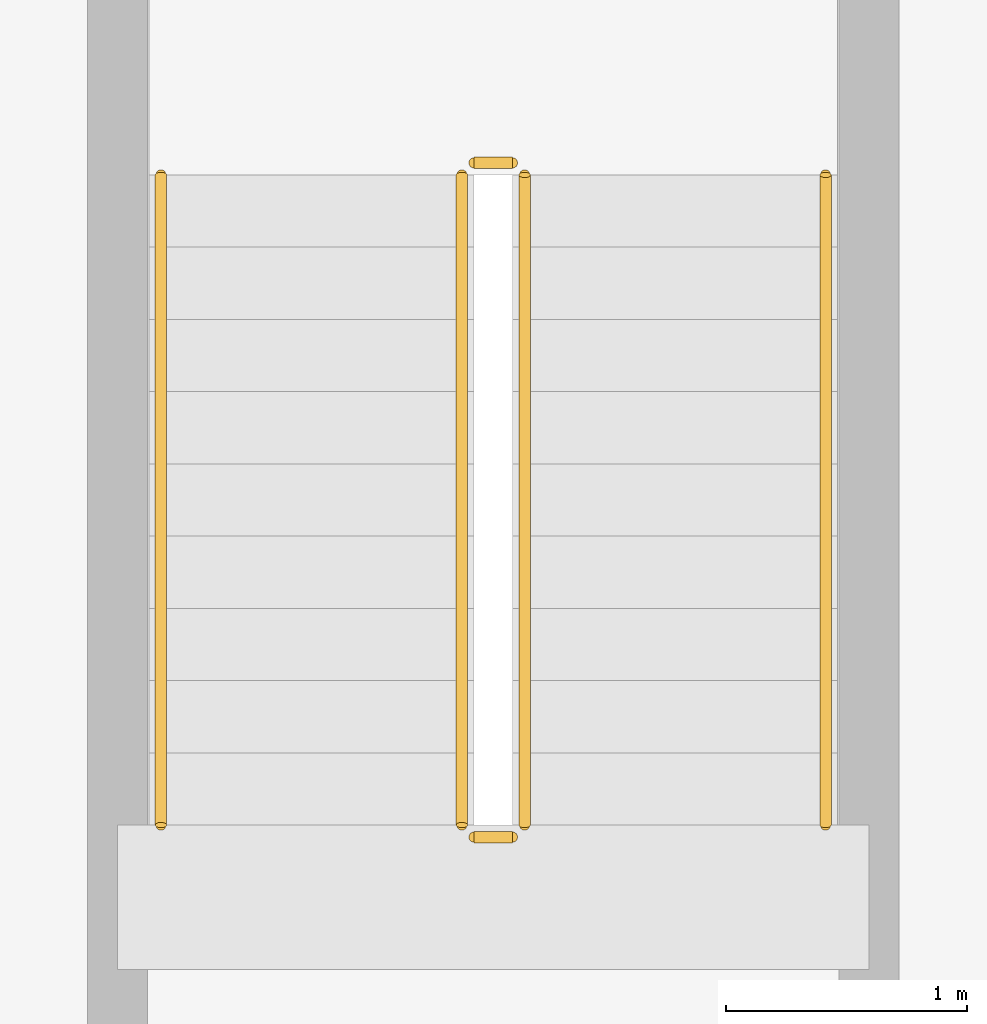
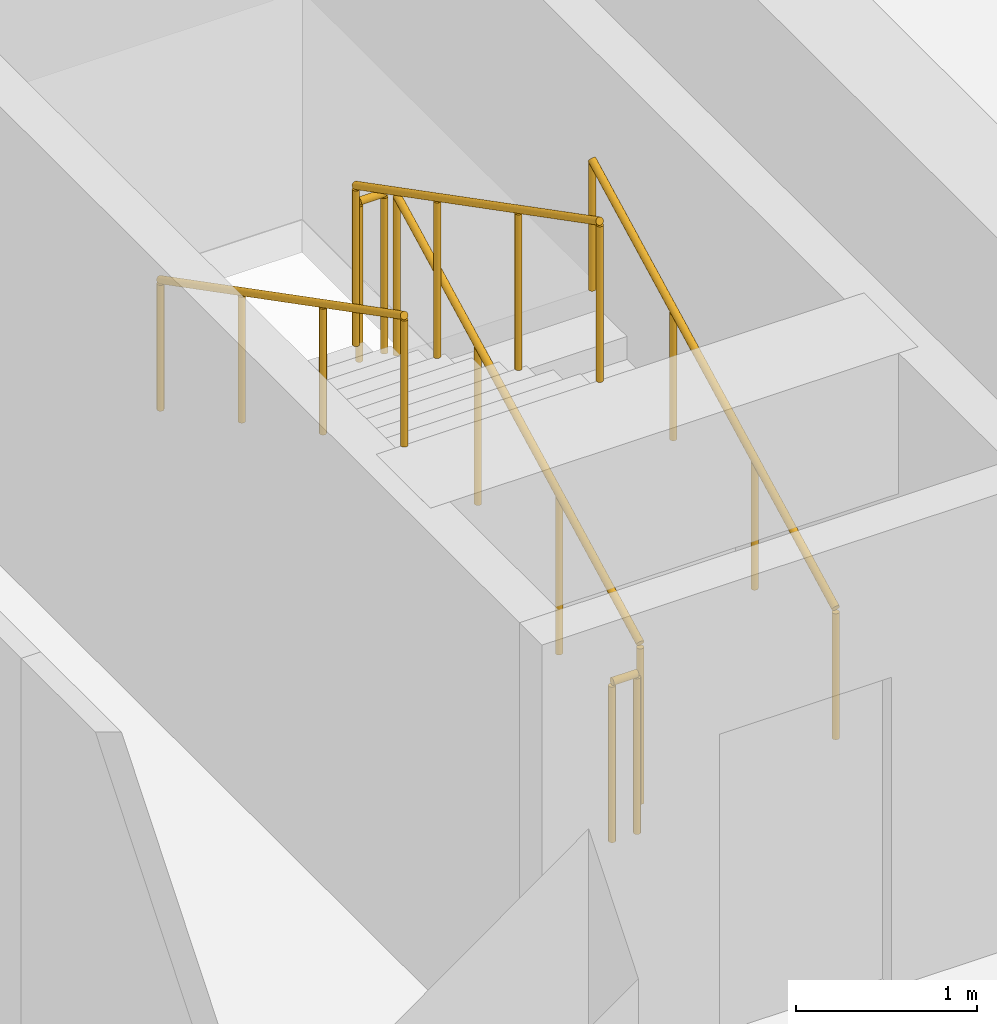
# One storey, part 9 of 9: 6 railings.
"""IFC4 building model written with IfcOpenShell, lengths in metres."""

import ifcopenshell
import ifcopenshell.guid

model = None  # the IFC model being written
_history = None  # IfcOwnerHistory: only IFC2X3 demands one
_inside = {}  # id of a spatial element -> (the spatial element, [elements in it])
_under = {}  # id of a project, library or spatial element -> (it, [spatial elements below it])
_declared = {}  # id of a project -> (the project, [libraries it declares])
_typed = {}  # id of a type object -> (the type object, [elements of that type])
_made_of = {}  # id of a material, layer set ... -> (it, [elements and type objects made of it])


def new_model(schema):
    """Start an empty IFC model of exactly this schema.

    Asked for "IFC4X3", IfcOpenShell would pick the latest addendum, in which some entities
    have other attributes; the version numbers below select the first issue.
    IFC2X3 requires an IfcOwnerHistory on every rooted entity: one is made here for all.
    """
    global model, _history
    if schema == "IFC4X3":
        model = ifcopenshell.file(schema_version=(4, 3, 0, 0))
    else:
        model = ifcopenshell.file(schema=schema)
    _inside.clear()
    _under.clear()
    _declared.clear()
    _typed.clear()
    _made_of.clear()
    _history = None
    if model.schema == "IFC2X3":
        org = make("IfcOrganization", Name="unknown")
        user = make(
            "IfcPersonAndOrganization",
            ThePerson=make("IfcPerson", FamilyName="unknown"),
            TheOrganization=org,
        )
        app = make(
            "IfcApplication",
            ApplicationDeveloper=org,
            Version="unknown",
            ApplicationFullName="unknown",
            ApplicationIdentifier="unknown",
        )
        _history = make(
            "IfcOwnerHistory",
            OwningUser=user,
            OwningApplication=app,
            ChangeAction="ADDED",
            CreationDate=0,
        )
    return model


def make(cls, **values):
    """One entity of the class cls with the attributes given. An attribute that is None is left unset."""
    return model.create_entity(
        cls, **{name: value for name, value in values.items() if value is not None}
    )


def rooted(cls, **values):
    """An entity with a GlobalId (a new one), such as an element, a storey or a relation."""
    return make(cls, GlobalId=ifcopenshell.guid.new(), OwnerHistory=_history, **values)


def si_unit(unit_type, name, prefix=None):
    """IfcSIUnit, for example si_unit("LENGTHUNIT", "METRE", prefix="MILLI")."""
    return make("IfcSIUnit", UnitType=unit_type, Prefix=prefix, Name=name)


def assignment(units):
    """IfcUnitAssignment: the units of a project."""
    return None if units is None else make("IfcUnitAssignment", Units=units)


def point(xyz):
    """IfcCartesianPoint."""
    return None if xyz is None else make("IfcCartesianPoint", Coordinates=xyz)


def direction(xyz):
    """IfcDirection."""
    return None if xyz is None else make("IfcDirection", DirectionRatios=xyz)


def frame(location, z_axis=None, x_axis=None):
    """IfcAxis2Placement3D, a coordinate frame: its origin and axes. An axis left out is left unset."""
    return make(
        "IfcAxis2Placement3D",
        Location=point(location),
        Axis=direction(z_axis),
        RefDirection=direction(x_axis),
    )


def frame_2d(location, x_axis=None):
    """IfcAxis2Placement2D, a coordinate frame in the plane: its origin and x axis."""
    return make(
        "IfcAxis2Placement2D", Location=point(location), RefDirection=direction(x_axis)
    )


def origin():
    """The frame at (0, 0, 0) with its axes left unset."""
    return frame((0.0, 0.0, 0.0))


def origin_2d():
    """The frame at (0, 0) in the plane with its x axis left unset."""
    return frame_2d((0.0, 0.0))


def place(relative_to, where):
    """IfcLocalPlacement: puts the frame where relative to a parent placement (None: the world)."""
    return make(
        "IfcLocalPlacement", PlacementRelTo=relative_to, RelativePlacement=where
    )


def context(
    kind, dimensions, precision=None, world=None, true_north=None, identifier=None
):
    """IfcGeometricRepresentationContext, for example the 3D "Model" context."""
    return make(
        "IfcGeometricRepresentationContext",
        ContextIdentifier=identifier,
        ContextType=kind,
        CoordinateSpaceDimension=dimensions,
        Precision=precision,
        WorldCoordinateSystem=world,
        TrueNorth=true_north,
    )


def subcontext(parent, identifier, kind, view, scale=None):
    """IfcGeometricRepresentationSubContext, for example "Body" below "Model"."""
    return make(
        "IfcGeometricRepresentationSubContext",
        ContextIdentifier=identifier,
        ContextType=kind,
        ParentContext=parent,
        TargetScale=scale,
        TargetView=view,
    )


def project(units=None, contexts=None):
    """IfcProject with its units and contexts."""
    return rooted(
        "IfcProject",
        Name="project",
        RepresentationContexts=contexts,
        UnitsInContext=assignment(units),
    )


def spatial(cls, under=None, at=None, **own):
    """A site, building, storey or space (cls), placed at a placement, below another one or the project."""
    s = rooted(cls, ObjectPlacement=at, **own)
    if under is not None:
        _under.setdefault(under.id(), (under, []))[1].append(s)
    return s


def profile(cls, at=None, kind="AREA", **sizes):
    """A parametric profile (cls). Its sizes go by their IFC names, for example OverallWidth=200.0."""
    return make(cls, ProfileType=kind, Position=at, **sizes)


def circle(**sizes):
    """IfcCircleProfileDef."""
    return profile("IfcCircleProfileDef", **sizes)


def extrude(swept, where, along, depth):
    """IfcExtrudedAreaSolid: the profile swept, set in the frame where, extruded along a direction by depth."""
    return make(
        "IfcExtrudedAreaSolid",
        SweptArea=swept,
        Position=where,
        ExtrudedDirection=direction(along),
        Depth=depth,
    )


def shape(context_of_items, identifier, shape_type, items):
    """IfcShapeRepresentation: the items that make up one representation, for example the "Body"."""
    return make(
        "IfcShapeRepresentation",
        ContextOfItems=context_of_items,
        RepresentationIdentifier=identifier,
        RepresentationType=shape_type,
        Items=items,
    )


def material(Name=None, Category=None):
    """IfcMaterial."""
    return make("IfcMaterial", Name=Name, Category=Category)


def made_of(thing, what):
    """Note that an element or type object is made of a material, layer set ...; save() writes the relation."""
    if what is not None:
        _made_of.setdefault(what.id(), (what, []))[1].append(thing)
    return thing


def type_object(cls, material=None, **own):
    """A type object (cls), such as IfcWallType, which elements share."""
    return made_of(rooted(cls, **own), material)


def element(
    cls,
    number,
    at=None,
    inside=None,
    cuts=None,
    type_object=None,
    material=None,
    context=None,
    identifier="Body",
    shape_type=None,
    held_by="IfcProductDefinitionShape",
    body=None,
    shapes=None,
    **own,
):
    """One element of the class cls, such as IfcWall. Its Tag is "e" and its number.

    at: its placement. inside: the storey or other place that contains it. cuts: it is an
    opening in that element (IfcRelVoidsElement). A single representation is given by context,
    identifier, shape_type and body (its items); several are given by shapes. held_by: the class
    of the entity that holds the representations. save() writes the other relations.
    """
    e = rooted(cls, Tag="e%d" % number, ObjectPlacement=at, **own)
    if body is not None:
        shapes = [shape(context, identifier, shape_type, body)]
    if shapes is not None:
        e.Representation = make(held_by, Representations=shapes)
    if inside is not None:
        _inside.setdefault(inside.id(), (inside, []))[1].append(e)
    if cuts is not None:
        rooted(
            "IfcRelVoidsElement", RelatingBuildingElement=cuts, RelatedOpeningElement=e
        )
    if type_object is not None:
        _typed.setdefault(type_object.id(), (type_object, []))[1].append(e)
    return made_of(e, material)


def aggregate(whole, parts):
    """IfcRelAggregates: a whole, such as a stair, and the parts it consists of."""
    return rooted("IfcRelAggregates", RelatingObject=whole, RelatedObjects=parts)


def save(model, path):
    """Write the relations noted so far, then the file.

    IfcRelAggregates (storeys below a building ...), IfcRelContainedInSpatialStructure (elements
    in a storey), IfcRelDefinesByType, IfcRelAssociatesMaterial and IfcRelDeclares: one each for
    every whole, place, type object, material and project.
    """
    for whole, parts in _under.values():
        aggregate(whole, parts)
    for where, things in _inside.values():
        rooted(
            "IfcRelContainedInSpatialStructure",
            RelatedElements=things,
            RelatingStructure=where,
        )
    for kind, things in _typed.values():
        rooted("IfcRelDefinesByType", RelatedObjects=things, RelatingType=kind)
    for what, things in _made_of.values():
        rooted("IfcRelAssociatesMaterial", RelatedObjects=things, RelatingMaterial=what)
    for by, libraries in _declared.values():
        rooted("IfcRelDeclares", RelatingContext=by, RelatedDefinitions=libraries)
    model.write(path)


model = new_model("IFC4")

# Units and contexts
model_context = context("Model", 3, precision=1e-05, world=origin(), true_north=direction((0.0, 1.0)))
body_context = subcontext(model_context, "Body", "Model", "MODEL_VIEW")
ifc_project = project(units=[si_unit("LENGTHUNIT", "METRE"), si_unit("AREAUNIT", "SQUARE_METRE"), si_unit("VOLUMEUNIT", "CUBIC_METRE"), si_unit("PLANEANGLEUNIT", "RADIAN"), si_unit("MASSUNIT", "GRAM", prefix="KILO")], contexts=[model_context])

# Site, building, storey
site_placement = place(None, origin())
site = spatial("IfcSite", under=ifc_project, at=site_placement, CompositionType="ELEMENT")
building_placement = place(site_placement, origin())
building = spatial("IfcBuilding", under=site, at=building_placement, Name="Solvane Sanctuary Tower", CompositionType="ELEMENT")
storey_placement = place(building_placement, frame((0.0, 0.0, 223.300048828125)))
storey = spatial("IfcBuildingStorey", under=building, at=storey_placement, Name="L68", CompositionType="ELEMENT", Elevation=223.300048828125)

# Railings
ifc_material = material(Name="Architectural Stainless Steel 316", Category="steel")
railing_type_1 = type_object("IfcRailingType", Name="Railing GR-BALC-1150", PredefinedType="BALUSTRADE", material=ifc_material)
railing_1_placement = place(storey_placement, frame((46.340087890625, 19.699951171875, 0.155029296875)))
element("IfcRailing", 1, at=railing_1_placement, inside=storey, type_object=railing_type_1, Name="L68 ST-2 stair guard 1", PredefinedType="BALUSTRADE", context=body_context, shape_type="SweptSolid", body=[
    extrude(circle(Radius=0.02392578125, at=origin_2d()), frame((0.0, 0.0, 1.076171875), z_axis=(0.0, 0.888419900624, 0.459031676658), x_axis=(-1.0, 0.0, 0.0)), (0.0, 0.0, 1.0), 3.0390625),
    extrude(circle(Radius=0.02099609375, at=origin_2d()), origin(), (0.0, 0.0, 1.0), 1.052001953125),
    extrude(circle(Radius=0.02099609375, at=origin_2d()), frame((0.0, 0.89990234375, 0.465087890625)), (0.0, 0.0, 1.0), 1.052001953125),
    extrude(circle(Radius=0.02099609375, at=origin_2d()), frame((0.0, 1.800048828125, 0.929931640625)), (0.0, 0.0, 1.0), 1.052001953125),
    extrude(circle(Radius=0.02099609375, at=origin_2d()), frame((0.0, 2.699951171875, 1.39501953125)), (0.0, 0.0, 1.0), 1.052001953125),
])
railing_2_placement = place(storey_placement, frame((46.2900390625, 22.449951171875, 1.550048828125)))
element("IfcRailing", 2, at=railing_2_placement, inside=storey, type_object=railing_type_1, Name="L68 ST-2 stair guard 2", PredefinedType="BALUSTRADE", context=body_context, shape_type="SweptSolid", body=[
    extrude(circle(Radius=0.02392578125, at=origin_2d()), frame((0.0, 0.0, 1.076171875), z_axis=(-1.0, 0.0, 0.0), x_axis=(0.0, -1.0, 0.0)), (0.0, 0.0, 1.0), 0.16015625),
    extrude(circle(Radius=0.02099609375, at=origin_2d()), origin(), (0.0, 0.0, 1.0), 1.052001953125),
    extrude(circle(Radius=0.02099609375, at=origin_2d()), frame((-0.16015625, 0.0, 0.0)), (0.0, 0.0, 1.0), 1.052001953125),
])
railing_3_placement = place(storey_placement, frame((46.080078125, 22.39990234375, 1.704833984375)))
element("IfcRailing", 3, at=railing_3_placement, inside=storey, type_object=railing_type_1, Name="L68 ST-2 stair guard 3", PredefinedType="BALUSTRADE", context=body_context, shape_type="SweptSolid", body=[
    extrude(circle(Radius=0.02392578125, at=origin_2d()), frame((0.0, 0.0, 1.076171875), z_axis=(0.0, -0.888419900624, 0.459031676658), x_axis=(1.0, 0.0, 0.0)), (0.0, 0.0, 1.0), 3.0390625),
    extrude(circle(Radius=0.02099609375, at=origin_2d()), origin(), (0.0, 0.0, 1.0), 1.052001953125),
    extrude(circle(Radius=0.02099609375, at=origin_2d()), frame((0.0, -0.89990234375, 0.465087890625)), (0.0, 0.0, 1.0), 1.052001953125),
    extrude(circle(Radius=0.02099609375, at=origin_2d()), frame((0.0, -1.800048828125, 0.929931640625)), (0.0, 0.0, 1.0), 1.052001953125),
    extrude(circle(Radius=0.02099609375, at=origin_2d()), frame((0.0, -2.699951171875, 1.39501953125)), (0.0, 0.0, 1.0), 1.052001953125),
])
railing_4_placement = place(storey_placement, frame((46.2900390625, 19.64990234375, 0.0)))
element("IfcRailing", 4, at=railing_4_placement, inside=storey, type_object=railing_type_1, Name="L68 ST-2 stair guard 4", PredefinedType="BALUSTRADE", context=body_context, shape_type="SweptSolid", body=[
    extrude(circle(Radius=0.02392578125, at=origin_2d()), frame((0.0, 0.0, 1.076171875), z_axis=(-1.0, 0.0, 0.0), x_axis=(0.0, -1.0, 0.0)), (0.0, 0.0, 1.0), 0.16015625),
    extrude(circle(Radius=0.02099609375, at=origin_2d()), origin(), (0.0, 0.0, 1.0), 1.052001953125),
    extrude(circle(Radius=0.02099609375, at=origin_2d()), frame((-0.16015625, 0.0, 0.0)), (0.0, 0.0, 1.0), 1.052001953125),
])
railing_type_2 = type_object("IfcRailingType", Name="Railing HR-STAIR-920", PredefinedType="HANDRAIL", material=ifc_material)
railing_5_placement = place(storey_placement, frame((47.590087890625, 19.699951171875, 0.155029296875)))
element("IfcRailing", 5, at=railing_5_placement, inside=storey, type_object=railing_type_2, Name="L68 ST-2 stair handrail 1", PredefinedType="HANDRAIL", context=body_context, shape_type="SweptSolid", body=[
    extrude(circle(Radius=0.02392578125, at=origin_2d()), frame((0.0, 0.0, 0.8759765625), z_axis=(0.0, 0.888419900624, 0.459031676658), x_axis=(-1.0, 0.0, 0.0)), (0.0, 0.0, 1.0), 3.0390625),
    extrude(circle(Radius=0.02099609375, at=origin_2d()), origin(), (0.0, 0.0, 1.0), 0.851806640625),
    extrude(circle(Radius=0.02099609375, at=origin_2d()), frame((0.0, 0.89990234375, 0.465087890625)), (0.0, 0.0, 1.0), 0.851806640625),
    extrude(circle(Radius=0.02099609375, at=origin_2d()), frame((0.0, 1.800048828125, 0.929931640625)), (0.0, 0.0, 1.0), 0.851806640625),
    extrude(circle(Radius=0.02099609375, at=origin_2d()), frame((0.0, 2.699951171875, 1.39501953125)), (0.0, 0.0, 1.0), 0.851806640625),
])
railing_6_placement = place(storey_placement, frame((44.830078125, 22.39990234375, 1.704833984375)))
element("IfcRailing", 6, at=railing_6_placement, inside=storey, type_object=railing_type_2, Name="L68 ST-2 stair handrail 2", PredefinedType="HANDRAIL", context=body_context, shape_type="SweptSolid", body=[
    extrude(circle(Radius=0.02392578125, at=origin_2d()), frame((0.0, 0.0, 0.8759765625), z_axis=(0.0, -0.888419900624, 0.459031676658), x_axis=(1.0, 0.0, 0.0)), (0.0, 0.0, 1.0), 3.0390625),
    extrude(circle(Radius=0.02099609375, at=origin_2d()), origin(), (0.0, 0.0, 1.0), 0.851806640625),
    extrude(circle(Radius=0.02099609375, at=origin_2d()), frame((0.0, -0.89990234375, 0.465087890625)), (0.0, 0.0, 1.0), 0.851806640625),
    extrude(circle(Radius=0.02099609375, at=origin_2d()), frame((0.0, -1.800048828125, 0.929931640625)), (0.0, 0.0, 1.0), 0.851806640625),
    extrude(circle(Radius=0.02099609375, at=origin_2d()), frame((0.0, -2.699951171875, 1.39501953125)), (0.0, 0.0, 1.0), 0.851806640625),
])

save(model, "model.ifc")
